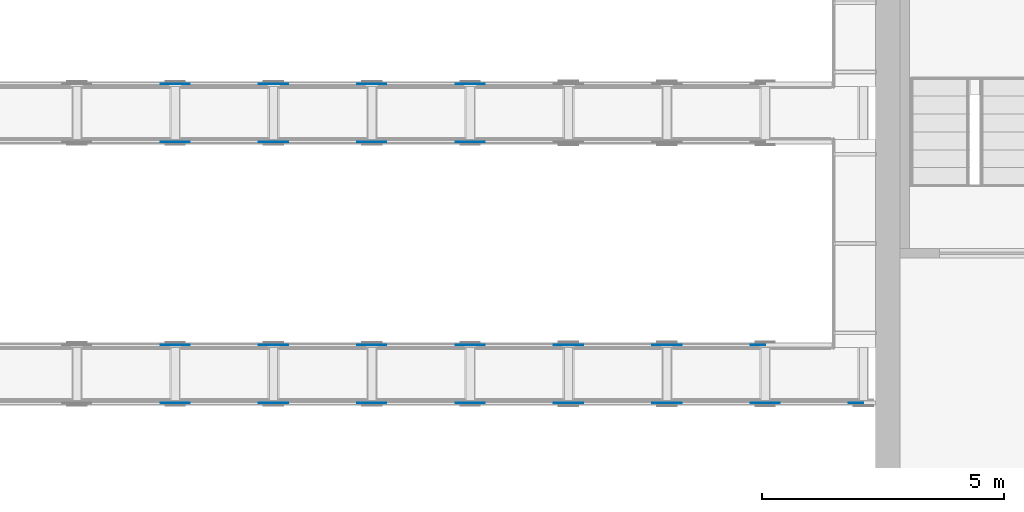
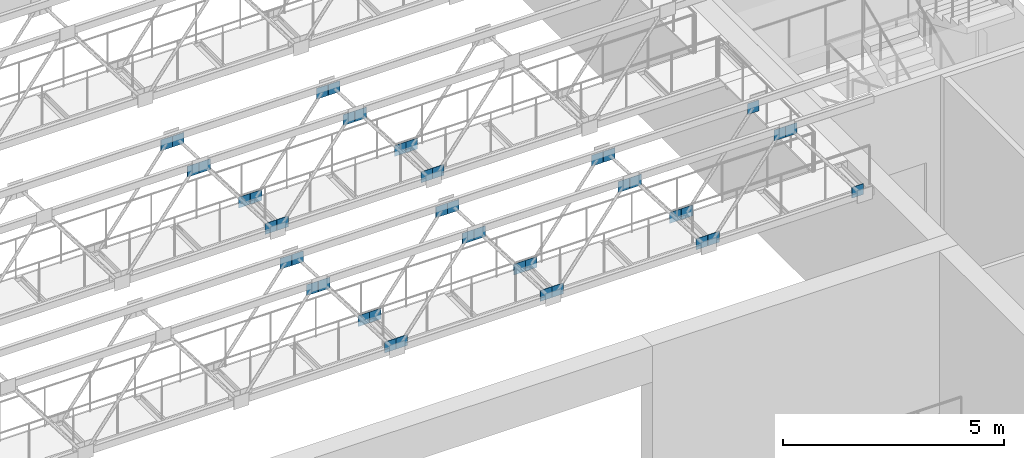
# One storey, part 44 of 70: 44 discrete accessories.
"""IFC4 building model written with IfcOpenShell, lengths in metres."""

from ifc_helpers import new_model, si_unit, direction, frame, origin, origin_2d, place, context, subcontext, project, spatial, rectangle, extrude, material, material_profile, profile_set, type_object, element, save


model = new_model("IFC4")

# Units and contexts
model_context = context("Model", 3, precision=1e-05, world=origin(), true_north=direction((0.0, 1.0)))
body_context = subcontext(model_context, "Body", "Model", "MODEL_VIEW")
ifc_project = project(units=[si_unit("LENGTHUNIT", "METRE"), si_unit("AREAUNIT", "SQUARE_METRE"), si_unit("VOLUMEUNIT", "CUBIC_METRE"), si_unit("PLANEANGLEUNIT", "RADIAN"), si_unit("MASSUNIT", "GRAM", prefix="KILO")], contexts=[model_context])

# Site, building, storey
site_placement = place(None, origin())
site = spatial("IfcSite", under=ifc_project, at=site_placement, CompositionType="ELEMENT")
building_placement = place(site_placement, origin())
building = spatial("IfcBuilding", under=site, at=building_placement, Name="Saffron Lane Theatres", CompositionType="ELEMENT")
storey_placement = place(building_placement, frame((0.0, 0.0, 12.0)))
storey = spatial("IfcBuildingStorey", under=building, at=storey_placement, Name="L02", CompositionType="ELEMENT", Elevation=12.0)

# Discrete accessories
ifc_material = material(Name="Steel Grade 350", Category="steel")
ifc_material_profile = material_profile(ifc_material, rectangle(XDim=0.300048828125, YDim=0.300048828125, at=origin_2d()))
ifc_profile_set = profile_set([ifc_material_profile], Name="Steel Grade 350")
discrete_accessory_type = type_object("IfcDiscreteAccessoryType", Name="ST-GUSSET CONNECTION PLATE", PredefinedType="BRACKET", material=ifc_profile_set)
for number, where, z_axis, x_axis, name in (
    (1, (32.847412109375, 56.9951171875, 6.777099609375), (0.0, 1.0, 0.0), (-1.0, 0.0, 0.0), "GB438"),
    (2, (33.152587890625, 56.9951171875, 6.777099609375), (0.0, 1.0, 0.0), (-1.0, 0.0, 0.0), "GB439"),
    (3, (34.883056640625, 56.9951171875, 4.48291015625), (0.0, 1.0, 0.0), (-1.0, 0.0, 0.0), "GB440"),
    (4, (35.1884765625, 56.9951171875, 4.48291015625), (0.0, 1.0, 0.0), (-1.0, 0.0, 0.0), "GB441"),
    (5, (36.918701171875, 56.9951171875, 6.777099609375), (0.0, 1.0, 0.0), (-1.0, 0.0, 0.0), "GB442"),
    (6, (37.22412109375, 56.9951171875, 6.777099609375), (0.0, 1.0, 0.0), (-1.0, 0.0, 0.0), "GB443"),
    (7, (38.954345703125, 56.9951171875, 4.48291015625), (0.0, 1.0, 0.0), (-1.0, 0.0, 0.0), "GB444"),
    (8, (39.259765625, 56.9951171875, 4.48291015625), (0.0, 1.0, 0.0), (-1.0, 0.0, 0.0), "GB445"),
    (9, (40.990234375, 56.9951171875, 6.777099609375), (0.0, 1.0, 0.0), (-1.0, 0.0, 0.0), "GB446"),
    (10, (41.295654296875, 56.9951171875, 6.777099609375), (0.0, 1.0, 0.0), (-1.0, 0.0, 0.0), "GB447"),
    (11, (43.02587890625, 56.9951171875, 4.48291015625), (0.0, 1.0, 0.0), (-1.0, 0.0, 0.0), "GB448"),
    (12, (43.331298828125, 56.9951171875, 4.48291015625), (0.0, 1.0, 0.0), (-1.0, 0.0, 0.0), "GB449"),
    (13, (45.0615234375, 56.9951171875, 6.777099609375), (0.0, 1.0, 0.0), (-1.0, 0.0, 0.0), "GB450"),
    (14, (45.366943359375, 56.9951171875, 6.777099609375), (0.0, 1.0, 0.0), (-1.0, 0.0, 0.0), "GB451"),
    (15, (47.097412109375, 56.9951171875, 4.48291015625), (0.0, 1.0, 0.0), (-1.0, 0.0, 0.0), "GB452"),
):
    element("IfcDiscreteAccessory", number, at=place(storey_placement, frame(where, z_axis=z_axis, x_axis=x_axis)), inside=storey, type_object=discrete_accessory_type, Name=name, PredefinedType="BRACKET", context=body_context, shape_type="SweptSolid", body=[
        extrude(rectangle(XDim=0.300048828125, YDim=0.300048828125, at=origin_2d()), origin(), (0.0, 0.0, 1.0), 0.009765625),
    ])
for number, where, z_axis, x_axis, name in (
    (16, (32.847412109375, 58.195068359375, 6.777099609375), (0.0, 1.0, 0.0), (-1.0, 0.0, 0.0), "GB464"),
    (17, (33.152587890625, 58.195068359375, 6.777099609375), (0.0, 1.0, 0.0), (-1.0, 0.0, 0.0), "GB465"),
    (18, (34.883056640625, 58.195068359375, 4.48291015625), (0.0, 1.0, 0.0), (-1.0, 0.0, 0.0), "GB466"),
    (19, (35.1884765625, 58.195068359375, 4.48291015625), (0.0, 1.0, 0.0), (-1.0, 0.0, 0.0), "GB467"),
    (20, (36.918701171875, 58.195068359375, 6.777099609375), (0.0, 1.0, 0.0), (-1.0, 0.0, 0.0), "GB468"),
    (21, (37.22412109375, 58.195068359375, 6.777099609375), (0.0, 1.0, 0.0), (-1.0, 0.0, 0.0), "GB469"),
    (22, (38.954345703125, 58.195068359375, 4.48291015625), (0.0, 1.0, 0.0), (-1.0, 0.0, 0.0), "GB470"),
    (23, (39.259765625, 58.195068359375, 4.48291015625), (0.0, 1.0, 0.0), (-1.0, 0.0, 0.0), "GB471"),
    (24, (40.990234375, 58.195068359375, 6.777099609375), (0.0, 1.0, 0.0), (-1.0, 0.0, 0.0), "GB472"),
    (25, (41.295654296875, 58.195068359375, 6.777099609375), (0.0, 1.0, 0.0), (-1.0, 0.0, 0.0), "GB473"),
    (26, (43.02587890625, 58.195068359375, 4.48291015625), (0.0, 1.0, 0.0), (-1.0, 0.0, 0.0), "GB474"),
    (27, (43.331298828125, 58.195068359375, 4.48291015625), (0.0, 1.0, 0.0), (-1.0, 0.0, 0.0), "GB475"),
    (28, (45.0615234375, 58.195068359375, 6.777099609375), (0.0, 1.0, 0.0), (-1.0, 0.0, 0.0), "GB476"),
    (29, (32.847412109375, 62.39501953125, 6.777099609375), (0.0, 1.0, 0.0), (-1.0, 0.0, 0.0), "GB488"),
    (30, (33.152587890625, 62.39501953125, 6.777099609375), (0.0, 1.0, 0.0), (-1.0, 0.0, 0.0), "GB489"),
    (31, (34.883056640625, 62.39501953125, 4.48291015625), (0.0, 1.0, 0.0), (-1.0, 0.0, 0.0), "GB490"),
    (32, (35.1884765625, 62.39501953125, 4.48291015625), (0.0, 1.0, 0.0), (-1.0, 0.0, 0.0), "GB491"),
    (33, (36.918701171875, 62.39501953125, 6.777099609375), (0.0, 1.0, 0.0), (-1.0, 0.0, 0.0), "GB492"),
    (34, (37.22412109375, 62.39501953125, 6.777099609375), (0.0, 1.0, 0.0), (-1.0, 0.0, 0.0), "GB493"),
    (35, (38.954345703125, 62.39501953125, 4.48291015625), (0.0, 1.0, 0.0), (-1.0, 0.0, 0.0), "GB494"),
    (36, (39.259765625, 62.39501953125, 4.48291015625), (0.0, 1.0, 0.0), (-1.0, 0.0, 0.0), "GB495"),
    (37, (32.847412109375, 63.594970703125, 6.777099609375), (0.0, 1.0, 0.0), (-1.0, 0.0, 0.0), "GB512"),
    (38, (33.152587890625, 63.594970703125, 6.777099609375), (0.0, 1.0, 0.0), (-1.0, 0.0, 0.0), "GB513"),
    (39, (34.883056640625, 63.594970703125, 4.48291015625), (0.0, 1.0, 0.0), (-1.0, 0.0, 0.0), "GB514"),
    (40, (35.1884765625, 63.594970703125, 4.48291015625), (0.0, 1.0, 0.0), (-1.0, 0.0, 0.0), "GB515"),
    (41, (36.918701171875, 63.594970703125, 6.777099609375), (0.0, 1.0, 0.0), (-1.0, 0.0, 0.0), "GB516"),
    (42, (37.22412109375, 63.594970703125, 6.777099609375), (0.0, 1.0, 0.0), (-1.0, 0.0, 0.0), "GB517"),
    (43, (38.954345703125, 63.594970703125, 4.48291015625), (0.0, 1.0, 0.0), (-1.0, 0.0, 0.0), "GB518"),
    (44, (39.259765625, 63.594970703125, 4.48291015625), (0.0, 1.0, 0.0), (-1.0, 0.0, 0.0), "GB519"),
):
    element("IfcDiscreteAccessory", number, at=place(storey_placement, frame(where, z_axis=z_axis, x_axis=x_axis)), inside=storey, type_object=discrete_accessory_type, Name=name, PredefinedType="BRACKET", context=body_context, shape_type="SweptSolid", body=[
        extrude(rectangle(XDim=0.300048828125, YDim=0.300048828125, at=origin_2d()), origin(), (0.0, 0.0, 1.0), 0.010009765625),
    ])

save(model, "model.ifc")
